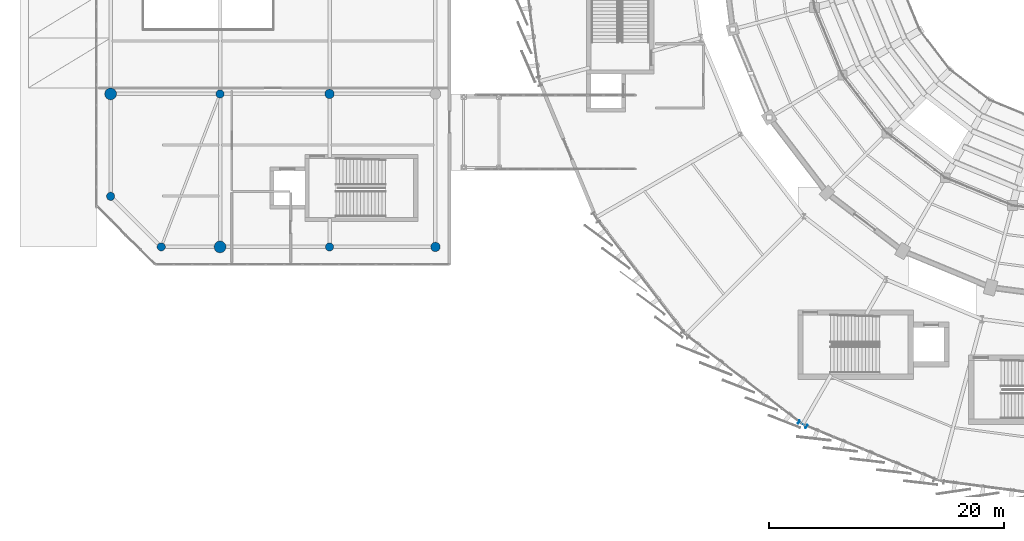
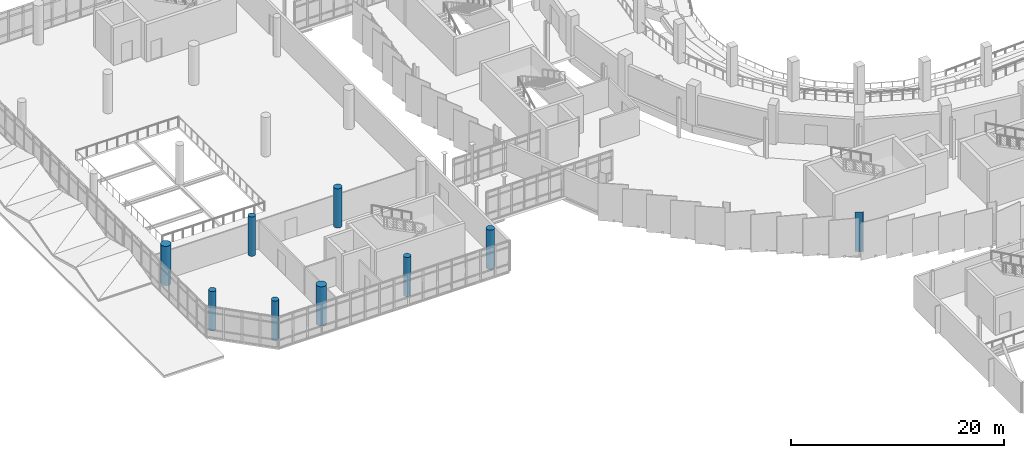
# One storey, part 1 of 134: 9 columns.
"""IFC4 building model written with IfcOpenShell, lengths in metres."""

from ifc_helpers import new_model, si_unit, direction, frame, origin, origin_2d, place, context, subcontext, project, spatial, circle, i_section, extrude, material, material_profile, profile_set, type_object, element, save


model = new_model("IFC4")

# Units and contexts
model_context = context("Model", 3, precision=1e-05, world=origin(), true_north=direction((0.0, 1.0)))
body_context = subcontext(model_context, "Body", "Model", "MODEL_VIEW")
ifc_project = project(units=[si_unit("LENGTHUNIT", "METRE"), si_unit("AREAUNIT", "SQUARE_METRE"), si_unit("VOLUMEUNIT", "CUBIC_METRE"), si_unit("PLANEANGLEUNIT", "RADIAN"), si_unit("MASSUNIT", "GRAM", prefix="KILO")], contexts=[model_context])

# Site, building, storey
site_placement = place(None, origin())
site = spatial("IfcSite", under=ifc_project, at=site_placement, CompositionType="ELEMENT")
building_placement = place(site_placement, origin())
building = spatial("IfcBuilding", under=site, at=building_placement, Name="Sohan Crest Arena", CompositionType="ELEMENT")
storey_placement = place(building_placement, frame((0.0, 0.0, 4.5)))
storey = spatial("IfcBuildingStorey", under=building, at=storey_placement, Name="L01", CompositionType="ELEMENT", Elevation=4.5)

# Columns
ifc_material_1 = material(Name="Concrete C40/50", Category="concrete")
ifc_material_profile_1 = material_profile(ifc_material_1, circle(Radius=0.35009765625, at=origin_2d()), Name="RC D700")
ifc_profile_set_1 = profile_set([ifc_material_profile_1], Name="Concrete C40/50")
column_type_1 = type_object("IfcColumnType", Name="STR-COL-C13", PredefinedType="COLUMN", material=ifc_profile_set_1)
for number, where, z_axis, x_axis, name in (
    (1, (24.5, 64.5, 0.0), (0.0, 0.0, 1.0), (1.0, 0.0, 0.0), "Structural column COL-V3C-22-L01"),
    (2, (33.800048828125, 51.5, 0.0), (0.0, 0.0, 1.0), (1.0, 0.0, 0.0), "Structural column COL-V3C-31-L01"),
    (3, (19.5, 51.5, 0.0), (0.0, 0.0, 1.0), (1.0, 0.0, 0.0), "Structural column COL-V3CH-1-L01"),
    (4, (15.199951171875, 55.800048828125, 0.0), (0.0, 0.0, 1.0), (1.0, 0.0, 0.0), "Structural column COL-V3CH-2-L01"),
):
    element("IfcColumn", number, at=place(storey_placement, frame(where, z_axis=z_axis, x_axis=x_axis)), inside=storey, type_object=column_type_1, Name=name, PredefinedType="COLUMN", context=body_context, shape_type="SweptSolid", body=[
        extrude(circle(Radius=0.35009765625, at=origin_2d()), origin(), (0.0, 0.0, 1.0), 4.5),
    ])
ifc_material_profile_2 = material_profile(ifc_material_1, circle(Radius=0.39990234375, at=origin_2d()), Name="RC D800")
ifc_profile_set_2 = profile_set([ifc_material_profile_2], Name="Concrete C40/50")
column_type_2 = type_object("IfcColumnType", Name="STR-COL-C14", PredefinedType="COLUMN", material=ifc_profile_set_2)
for number, where, z_axis, x_axis, name in (
    (5, (33.800048828125, 64.5, 0.0), (0.0, 0.0, 1.0), (1.0, 0.0, 0.0), "Structural column COL-V3C-32-L01"),
    (6, (42.800048828125, 51.5, 0.0), (0.0, 0.0, 1.0), (1.0, 0.0, 0.0), "Structural column COL-V3C-41-L01"),
):
    element("IfcColumn", number, at=place(storey_placement, frame(where, z_axis=z_axis, x_axis=x_axis)), inside=storey, type_object=column_type_2, Name=name, PredefinedType="COLUMN", context=body_context, shape_type="SweptSolid", body=[
        extrude(circle(Radius=0.39990234375, at=origin_2d()), origin(), (0.0, 0.0, 1.0), 4.5),
    ])
ifc_material_profile_3 = material_profile(ifc_material_1, circle(Radius=0.5, at=origin_2d()), Name="RC D1000")
ifc_profile_set_3 = profile_set([ifc_material_profile_3], Name="Concrete C40/50")
column_type_3 = type_object("IfcColumnType", Name="STR-COL-C16", PredefinedType="COLUMN", material=ifc_profile_set_3)
for number, where, z_axis, x_axis, name in (
    (7, (15.199951171875, 64.5, 0.0), (0.0, 0.0, 1.0), (1.0, 0.0, 0.0), "Structural column COL-V3C-12-L01"),
    (8, (24.5, 51.5, 0.0), (0.0, 0.0, 1.0), (1.0, 0.0, 0.0), "Structural column COL-V3C-21-L01"),
):
    element("IfcColumn", number, at=place(storey_placement, frame(where, z_axis=z_axis, x_axis=x_axis)), inside=storey, type_object=column_type_3, Name=name, PredefinedType="COLUMN", context=body_context, shape_type="SweptSolid", body=[
        extrude(circle(Radius=0.5, at=origin_2d()), origin(), (0.0, 0.0, 1.0), 4.5),
    ])
ifc_material_2 = material(Name="Steel S355", Category="steel")
ifc_material_profile_4 = material_profile(ifc_material_2, i_section(OverallWidth=0.300048828125, OverallDepth=0.800048828125, WebThickness=0.017578125, FlangeThickness=0.032958984375, at=origin_2d()), Name="HEB 800")
ifc_profile_set_4 = profile_set([ifc_material_profile_4], Name="Steel S355")
column_type_4 = type_object("IfcColumnType", Name="STR-COL-C22", PredefinedType="COLUMN", material=ifc_profile_set_4)
column_placement = place(storey_placement, frame((74.0, 36.430908203125, 0.0), z_axis=(0.0, 0.0, 1.0), x_axis=(0.5, 0.866025403784, 0.0)))
element("IfcColumn", 9, at=column_placement, inside=storey, type_object=column_type_4, Name="Structural column COL-V2O-11-L01", PredefinedType="COLUMN", context=body_context, shape_type="SweptSolid", body=[
    extrude(i_section(OverallWidth=0.300048828125, OverallDepth=0.800048828125, WebThickness=0.017578125, FlangeThickness=0.032958984375, at=origin_2d()), origin(), (0.0, 0.0, 1.0), 4.5),
])

save(model, "model.ifc")
